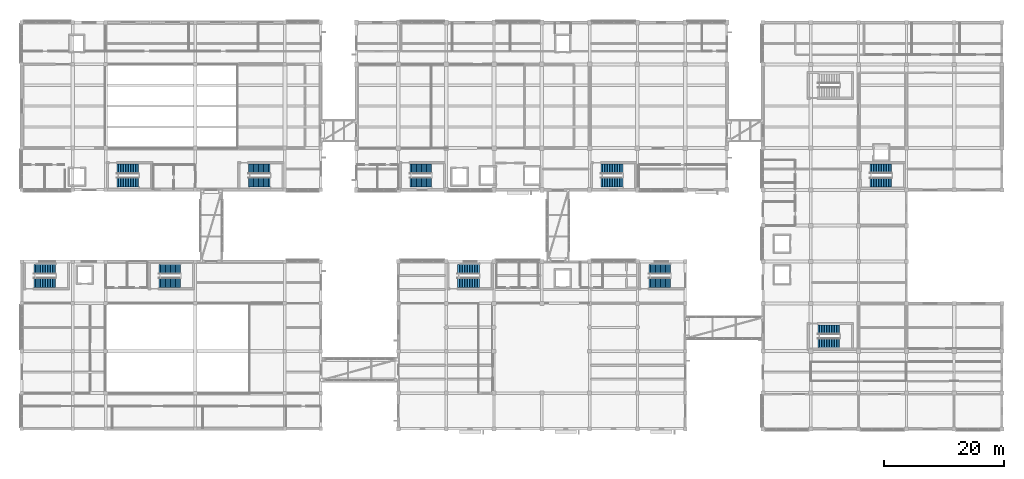
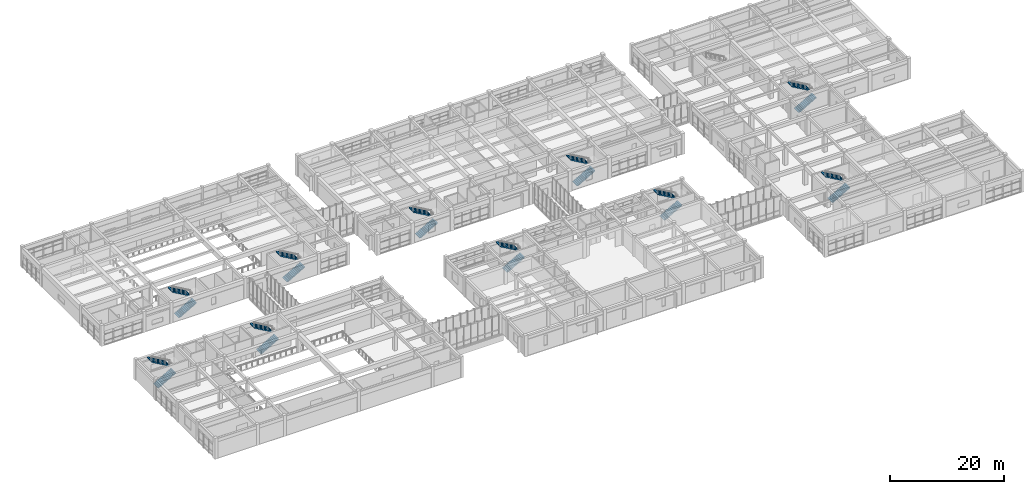
# One storey, part 58 of 72: 20 stair flights, 10 elements without a shape of their own.
"""IFC4 building model written with IfcOpenShell, lengths in metres."""

from ifc_helpers import new_model, si_unit, direction, frame, origin, place, context, subcontext, project, spatial, polyline, outline, extrude, material, type_object, element, aggregate, save


model = new_model("IFC4")

# Units and contexts
model_context = context("Model", 3, precision=1e-05, world=origin(), true_north=direction((0.0, 1.0)))
body_context = subcontext(model_context, "Body", "Model", "MODEL_VIEW")
ifc_project = project(units=[si_unit("LENGTHUNIT", "METRE"), si_unit("AREAUNIT", "SQUARE_METRE"), si_unit("VOLUMEUNIT", "CUBIC_METRE"), si_unit("PLANEANGLEUNIT", "RADIAN"), si_unit("MASSUNIT", "GRAM", prefix="KILO")], contexts=[model_context])

# Site, building, storey
site_placement = place(None, origin())
site = spatial("IfcSite", under=ifc_project, at=site_placement, CompositionType="ELEMENT")
building_placement = place(site_placement, origin())
building = spatial("IfcBuilding", under=site, at=building_placement, Name="Naurynzar Civic Courthouse", CompositionType="ELEMENT")
storey_placement = place(building_placement, frame((0.0, 0.0, 9.89990234375)))
storey = spatial("IfcBuildingStorey", under=building, at=storey_placement, Name="L03", CompositionType="ELEMENT", Elevation=9.89990234375)

# Stair, stair flights
ifc_material_1 = material(Name="Concrete C35/45", Category="concrete")
stair_type_1 = type_object("IfcStairType", Name="STAIR-CUS-1550", PredefinedType="TWO_STRAIGHT_RUN_STAIR", material=ifc_material_1)
stair_1_placement = place(storey_placement, origin())
stair_1 = element("IfcStair", 1, at=stair_1_placement, inside=storey, type_object=stair_type_1, Name="Enclosed escape stair ST-CUS L03", PredefinedType="TWO_STRAIGHT_RUN_STAIR")
ifc_material_2 = material(Name="Concrete C35/45", Category="concrete")
stair_flight_type_1 = type_object("IfcStairFlightType", Name="FLIGHT-RC-1550", PredefinedType="STRAIGHT", material=ifc_material_2)
stair_flight_1_placement = place(storey_placement, frame((147.89990234375, 45.2548828125, 0.0), z_axis=(0.0, 0.0, 1.0), x_axis=(1.0, 0.0, 0.0)))
stair_flight_1 = element("IfcStairFlight", 2, at=stair_flight_1_placement, type_object=stair_flight_type_1, Name="ST-CUS-L03 flight 1", NumberOfRisers=14, NumberOfTreads=13, PredefinedType="STRAIGHT", RiserHeight=0.160714286, TreadLength=0.28, context=body_context, shape_type="SweptSolid", body=[
    extrude(outline(polyline([(0.0, 0.0), (0.0, 0.16064453125), (0.280029296875, 0.16064453125), (0.280029296875, 0.321533203125), (0.56005859375, 0.321533203125), (0.56005859375, 0.482177734375), (0.840087890625, 0.482177734375), (0.840087890625, 0.642822265625), (1.1201171875, 0.642822265625), (1.1201171875, 0.803466796875), (1.39990234375, 0.803466796875), (1.39990234375, 0.96435546875), (1.679931640625, 0.96435546875), (1.679931640625, 1.125), (1.9599609375, 1.125), (1.9599609375, 1.28564453125), (2.239990234375, 1.28564453125), (2.239990234375, 1.446533203125), (2.52001953125, 1.446533203125), (2.52001953125, 1.607177734375), (2.800048828125, 1.607177734375), (2.800048828125, 1.767822265625), (3.080078125, 1.767822265625), (3.080078125, 1.928466796875), (3.360107421875, 1.928466796875), (3.360107421875, 2.08935546875), (3.639892578125, 2.08935546875), (3.639892578125, 2.25), (3.639892578125, 1.8818359375), (0.361328125, 0.0), (0.0, 0.0)])), frame((0.0, 0.77490234375, 0.0), z_axis=(0.0, -1.0, 0.0), x_axis=(1.0, 0.0, 0.0)), (0.0, 0.0, 1.0), 1.550048828125),
])
stair_flight_2_placement = place(storey_placement, frame((151.5400390625, 47.544921875, 2.25), z_axis=(0.0, 0.0, 1.0), x_axis=(-1.0, 0.0, 0.0)))
stair_flight_2 = element("IfcStairFlight", 3, at=stair_flight_2_placement, type_object=stair_flight_type_1, Name="ST-CUS-L03 flight 2", NumberOfRisers=14, NumberOfTreads=13, PredefinedType="STRAIGHT", RiserHeight=0.160714286, TreadLength=0.28, context=body_context, shape_type="SweptSolid", body=[
    extrude(outline(polyline([(0.0, 0.0), (0.0, 0.16064453125), (0.280029296875, 0.16064453125), (0.280029296875, 0.321533203125), (0.56005859375, 0.321533203125), (0.56005859375, 0.482177734375), (0.840087890625, 0.482177734375), (0.840087890625, 0.642822265625), (1.1201171875, 0.642822265625), (1.1201171875, 0.803466796875), (1.39990234375, 0.803466796875), (1.39990234375, 0.96435546875), (1.679931640625, 0.96435546875), (1.679931640625, 1.125), (1.9599609375, 1.125), (1.9599609375, 1.28564453125), (2.239990234375, 1.28564453125), (2.239990234375, 1.446533203125), (2.52001953125, 1.446533203125), (2.52001953125, 1.607177734375), (2.800048828125, 1.607177734375), (2.800048828125, 1.767822265625), (3.080078125, 1.767822265625), (3.080078125, 1.928466796875), (3.360107421875, 1.928466796875), (3.360107421875, 2.08935546875), (3.639892578125, 2.08935546875), (3.639892578125, 2.25), (3.639892578125, 1.8818359375), (0.361328125, 0.0), (0.0, 0.0)])), frame((0.0, 0.77490234375, 0.0), z_axis=(0.0, -1.0, 0.0), x_axis=(1.0, 0.0, 0.0)), (0.0, 0.0, 1.0), 1.550048828125),
])
aggregate(stair_1, [stair_flight_1, stair_flight_2])

ifc_material_3 = material(Name="Concrete C35/45", Category="concrete")
stair_type_2 = type_object("IfcStairType", Name="STAIR-CORE-1600", PredefinedType="TWO_STRAIGHT_RUN_STAIR", material=ifc_material_3)
stair_2_placement = place(storey_placement, origin())
stair_2 = element("IfcStair", 4, at=stair_2_placement, inside=storey, type_object=stair_type_2, Name="Enclosed escape stair ST-V1A L03", PredefinedType="TWO_STRAIGHT_RUN_STAIR")
ifc_material_4 = material(Name="Concrete C35/45", Category="concrete")
stair_flight_type_2 = type_object("IfcStairFlightType", Name="FLIGHT-RC-1600", PredefinedType="STRAIGHT", material=ifc_material_4)
stair_flight_3_placement = place(storey_placement, frame((21.89990234375, 45.280029296875, 0.0), z_axis=(0.0, 0.0, 1.0), x_axis=(1.0, 0.0, 0.0)))
stair_flight_3 = element("IfcStairFlight", 5, at=stair_flight_3_placement, type_object=stair_flight_type_2, Name="ST-V1A-L03 flight 1", NumberOfRisers=14, NumberOfTreads=13, PredefinedType="STRAIGHT", RiserHeight=0.160714286, TreadLength=0.28, context=body_context, shape_type="SweptSolid", body=[
    extrude(outline(polyline([(0.0, 0.0), (0.0, 0.16064453125), (0.280029296875, 0.16064453125), (0.280029296875, 0.321533203125), (0.56005859375, 0.321533203125), (0.56005859375, 0.482177734375), (0.840087890625, 0.482177734375), (0.840087890625, 0.642822265625), (1.1201171875, 0.642822265625), (1.1201171875, 0.803466796875), (1.39990234375, 0.803466796875), (1.39990234375, 0.96435546875), (1.679931640625, 0.96435546875), (1.679931640625, 1.125), (1.9599609375, 1.125), (1.9599609375, 1.28564453125), (2.239990234375, 1.28564453125), (2.239990234375, 1.446533203125), (2.52001953125, 1.446533203125), (2.52001953125, 1.607177734375), (2.800048828125, 1.607177734375), (2.800048828125, 1.767822265625), (3.080078125, 1.767822265625), (3.080078125, 1.928466796875), (3.360107421875, 1.928466796875), (3.360107421875, 2.08935546875), (3.639892578125, 2.08935546875), (3.639892578125, 2.25), (3.639892578125, 1.8818359375), (0.361328125, 0.0), (0.0, 0.0)])), frame((0.0, 0.800048828125, 0.0), z_axis=(0.0, -1.0, 0.0), x_axis=(1.0, 0.0, 0.0)), (0.0, 0.0, 1.0), 1.60009765625),
])
stair_flight_4_placement = place(storey_placement, frame((25.5400390625, 47.52001953125, 2.25), z_axis=(0.0, 0.0, 1.0), x_axis=(-1.0, 0.0, 0.0)))
stair_flight_4 = element("IfcStairFlight", 6, at=stair_flight_4_placement, type_object=stair_flight_type_2, Name="ST-V1A-L03 flight 2", NumberOfRisers=14, NumberOfTreads=13, PredefinedType="STRAIGHT", RiserHeight=0.160714286, TreadLength=0.28, context=body_context, shape_type="SweptSolid", body=[
    extrude(outline(polyline([(0.0, 0.0), (0.0, 0.16064453125), (0.280029296875, 0.16064453125), (0.280029296875, 0.321533203125), (0.56005859375, 0.321533203125), (0.56005859375, 0.482177734375), (0.840087890625, 0.482177734375), (0.840087890625, 0.642822265625), (1.1201171875, 0.642822265625), (1.1201171875, 0.803466796875), (1.39990234375, 0.803466796875), (1.39990234375, 0.96435546875), (1.679931640625, 0.96435546875), (1.679931640625, 1.125), (1.9599609375, 1.125), (1.9599609375, 1.28564453125), (2.239990234375, 1.28564453125), (2.239990234375, 1.446533203125), (2.52001953125, 1.446533203125), (2.52001953125, 1.607177734375), (2.800048828125, 1.607177734375), (2.800048828125, 1.767822265625), (3.080078125, 1.767822265625), (3.080078125, 1.928466796875), (3.360107421875, 1.928466796875), (3.360107421875, 2.08935546875), (3.639892578125, 2.08935546875), (3.639892578125, 2.25), (3.639892578125, 1.8818359375), (0.361328125, 0.0), (0.0, 0.0)])), frame((0.0, 0.800048828125, 0.0), z_axis=(0.0, -1.0, 0.0), x_axis=(1.0, 0.0, 0.0)), (0.0, 0.0, 1.0), 1.60009765625),
])
aggregate(stair_2, [stair_flight_3, stair_flight_4])

stair_3_placement = place(storey_placement, origin())
stair_3 = element("IfcStair", 7, at=stair_3_placement, inside=storey, type_object=stair_type_2, Name="Enclosed escape stair ST-V1B L03", PredefinedType="TWO_STRAIGHT_RUN_STAIR")
stair_flight_5_placement = place(storey_placement, frame((43.89990234375, 45.280029296875, 0.0), z_axis=(0.0, 0.0, 1.0), x_axis=(1.0, 0.0, 0.0)))
stair_flight_5 = element("IfcStairFlight", 8, at=stair_flight_5_placement, type_object=stair_flight_type_2, Name="ST-V1B-L03 flight 1", NumberOfRisers=14, NumberOfTreads=13, PredefinedType="STRAIGHT", RiserHeight=0.160714286, TreadLength=0.28, context=body_context, shape_type="SweptSolid", body=[
    extrude(outline(polyline([(0.0, 0.0), (0.0, 0.16064453125), (0.280029296875, 0.16064453125), (0.280029296875, 0.321533203125), (0.56005859375, 0.321533203125), (0.56005859375, 0.482177734375), (0.840087890625, 0.482177734375), (0.840087890625, 0.642822265625), (1.1201171875, 0.642822265625), (1.1201171875, 0.803466796875), (1.39990234375, 0.803466796875), (1.39990234375, 0.96435546875), (1.679931640625, 0.96435546875), (1.679931640625, 1.125), (1.9599609375, 1.125), (1.9599609375, 1.28564453125), (2.239990234375, 1.28564453125), (2.239990234375, 1.446533203125), (2.52001953125, 1.446533203125), (2.52001953125, 1.607177734375), (2.800048828125, 1.607177734375), (2.800048828125, 1.767822265625), (3.080078125, 1.767822265625), (3.080078125, 1.928466796875), (3.360107421875, 1.928466796875), (3.360107421875, 2.08935546875), (3.639892578125, 2.08935546875), (3.639892578125, 2.25), (3.639892578125, 1.8818359375), (0.361328125, 0.0), (0.0, 0.0)])), frame((0.0, 0.800048828125, 0.0), z_axis=(0.0, -1.0, 0.0), x_axis=(1.0, 0.0, 0.0)), (0.0, 0.0, 1.0), 1.60009765625),
])
stair_flight_6_placement = place(storey_placement, frame((47.5400390625, 47.52001953125, 2.25), z_axis=(0.0, 0.0, 1.0), x_axis=(-1.0, 0.0, 0.0)))
stair_flight_6 = element("IfcStairFlight", 9, at=stair_flight_6_placement, type_object=stair_flight_type_2, Name="ST-V1B-L03 flight 2", NumberOfRisers=14, NumberOfTreads=13, PredefinedType="STRAIGHT", RiserHeight=0.160714286, TreadLength=0.28, context=body_context, shape_type="SweptSolid", body=[
    extrude(outline(polyline([(0.0, 0.0), (0.0, 0.16064453125), (0.280029296875, 0.16064453125), (0.280029296875, 0.321533203125), (0.56005859375, 0.321533203125), (0.56005859375, 0.482177734375), (0.840087890625, 0.482177734375), (0.840087890625, 0.642822265625), (1.1201171875, 0.642822265625), (1.1201171875, 0.803466796875), (1.39990234375, 0.803466796875), (1.39990234375, 0.96435546875), (1.679931640625, 0.96435546875), (1.679931640625, 1.125), (1.9599609375, 1.125), (1.9599609375, 1.28564453125), (2.239990234375, 1.28564453125), (2.239990234375, 1.446533203125), (2.52001953125, 1.446533203125), (2.52001953125, 1.607177734375), (2.800048828125, 1.607177734375), (2.800048828125, 1.767822265625), (3.080078125, 1.767822265625), (3.080078125, 1.928466796875), (3.360107421875, 1.928466796875), (3.360107421875, 2.08935546875), (3.639892578125, 2.08935546875), (3.639892578125, 2.25), (3.639892578125, 1.8818359375), (0.361328125, 0.0), (0.0, 0.0)])), frame((0.0, 0.800048828125, 0.0), z_axis=(0.0, -1.0, 0.0), x_axis=(1.0, 0.0, 0.0)), (0.0, 0.0, 1.0), 1.60009765625),
])
aggregate(stair_3, [stair_flight_5, stair_flight_6])

stair_4_placement = place(storey_placement, origin())
stair_4 = element("IfcStair", 10, at=stair_4_placement, inside=storey, type_object=stair_type_2, Name="Enclosed escape stair ST-V4A L03", PredefinedType="TWO_STRAIGHT_RUN_STAIR")
stair_flight_7_placement = place(storey_placement, frame((8.0, 28.47998046875, 0.0), z_axis=(0.0, 0.0, 1.0), x_axis=(1.0, 0.0, 0.0)))
stair_flight_7 = element("IfcStairFlight", 11, at=stair_flight_7_placement, type_object=stair_flight_type_2, Name="ST-V4A-L03 flight 1", NumberOfRisers=14, NumberOfTreads=13, PredefinedType="STRAIGHT", RiserHeight=0.160714286, TreadLength=0.28, context=body_context, shape_type="SweptSolid", body=[
    extrude(outline(polyline([(0.0, 0.0), (0.0, 0.16064453125), (0.280029296875, 0.16064453125), (0.280029296875, 0.321533203125), (0.56005859375, 0.321533203125), (0.56005859375, 0.482177734375), (0.840087890625, 0.482177734375), (0.840087890625, 0.642822265625), (1.1201171875, 0.642822265625), (1.1201171875, 0.803466796875), (1.39990234375, 0.803466796875), (1.39990234375, 0.96435546875), (1.679931640625, 0.96435546875), (1.679931640625, 1.125), (1.9599609375, 1.125), (1.9599609375, 1.28564453125), (2.239990234375, 1.28564453125), (2.239990234375, 1.446533203125), (2.52001953125, 1.446533203125), (2.52001953125, 1.607177734375), (2.800048828125, 1.607177734375), (2.800048828125, 1.767822265625), (3.080078125, 1.767822265625), (3.080078125, 1.928466796875), (3.360107421875, 1.928466796875), (3.360107421875, 2.08935546875), (3.639892578125, 2.08935546875), (3.639892578125, 2.25), (3.639892578125, 1.8818359375), (0.361328125, 0.0), (0.0, 0.0)])), frame((0.0, 0.800048828125, 0.0), z_axis=(0.0, -1.0, 0.0), x_axis=(1.0, 0.0, 0.0)), (0.0, 0.0, 1.0), 1.60009765625),
])
stair_flight_8_placement = place(storey_placement, frame((11.639892578125, 30.719970703125, 2.25), z_axis=(0.0, 0.0, 1.0), x_axis=(-1.0, 0.0, 0.0)))
stair_flight_8 = element("IfcStairFlight", 12, at=stair_flight_8_placement, type_object=stair_flight_type_2, Name="ST-V4A-L03 flight 2", NumberOfRisers=14, NumberOfTreads=13, PredefinedType="STRAIGHT", RiserHeight=0.160714286, TreadLength=0.28, context=body_context, shape_type="SweptSolid", body=[
    extrude(outline(polyline([(0.0, 0.0), (0.0, 0.16064453125), (0.280029296875, 0.16064453125), (0.280029296875, 0.321533203125), (0.56005859375, 0.321533203125), (0.56005859375, 0.482177734375), (0.840087890625, 0.482177734375), (0.840087890625, 0.642822265625), (1.1201171875, 0.642822265625), (1.1201171875, 0.803466796875), (1.39990234375, 0.803466796875), (1.39990234375, 0.96435546875), (1.679931640625, 0.96435546875), (1.679931640625, 1.125), (1.9599609375, 1.125), (1.9599609375, 1.28564453125), (2.239990234375, 1.28564453125), (2.239990234375, 1.446533203125), (2.52001953125, 1.446533203125), (2.52001953125, 1.607177734375), (2.800048828125, 1.607177734375), (2.800048828125, 1.767822265625), (3.080078125, 1.767822265625), (3.080078125, 1.928466796875), (3.360107421875, 1.928466796875), (3.360107421875, 2.08935546875), (3.639892578125, 2.08935546875), (3.639892578125, 2.25), (3.639892578125, 1.8818359375), (0.361328125, 0.0), (0.0, 0.0)])), frame((0.0, 0.800048828125, 0.0), z_axis=(0.0, -1.0, 0.0), x_axis=(1.0, 0.0, 0.0)), (0.0, 0.0, 1.0), 1.60009765625),
])
aggregate(stair_4, [stair_flight_7, stair_flight_8])

stair_5_placement = place(storey_placement, origin())
stair_5 = element("IfcStair", 13, at=stair_5_placement, inside=storey, type_object=stair_type_2, Name="Enclosed escape stair ST-V4B L03", PredefinedType="TWO_STRAIGHT_RUN_STAIR")
stair_flight_9_placement = place(storey_placement, frame((28.89990234375, 28.47998046875, 0.0), z_axis=(0.0, 0.0, 1.0), x_axis=(1.0, 0.0, 0.0)))
stair_flight_9 = element("IfcStairFlight", 14, at=stair_flight_9_placement, type_object=stair_flight_type_2, Name="ST-V4B-L03 flight 1", NumberOfRisers=14, NumberOfTreads=13, PredefinedType="STRAIGHT", RiserHeight=0.160714286, TreadLength=0.28, context=body_context, shape_type="SweptSolid", body=[
    extrude(outline(polyline([(0.0, 0.0), (0.0, 0.16064453125), (0.280029296875, 0.16064453125), (0.280029296875, 0.321533203125), (0.56005859375, 0.321533203125), (0.56005859375, 0.482177734375), (0.840087890625, 0.482177734375), (0.840087890625, 0.642822265625), (1.1201171875, 0.642822265625), (1.1201171875, 0.803466796875), (1.39990234375, 0.803466796875), (1.39990234375, 0.96435546875), (1.679931640625, 0.96435546875), (1.679931640625, 1.125), (1.9599609375, 1.125), (1.9599609375, 1.28564453125), (2.239990234375, 1.28564453125), (2.239990234375, 1.446533203125), (2.52001953125, 1.446533203125), (2.52001953125, 1.607177734375), (2.800048828125, 1.607177734375), (2.800048828125, 1.767822265625), (3.080078125, 1.767822265625), (3.080078125, 1.928466796875), (3.360107421875, 1.928466796875), (3.360107421875, 2.08935546875), (3.639892578125, 2.08935546875), (3.639892578125, 2.25), (3.639892578125, 1.8818359375), (0.361328125, 0.0), (0.0, 0.0)])), frame((0.0, 0.800048828125, 0.0), z_axis=(0.0, -1.0, 0.0), x_axis=(1.0, 0.0, 0.0)), (0.0, 0.0, 1.0), 1.60009765625),
])
stair_flight_10_placement = place(storey_placement, frame((32.5400390625, 30.719970703125, 2.25), z_axis=(0.0, 0.0, 1.0), x_axis=(-1.0, 0.0, 0.0)))
stair_flight_10 = element("IfcStairFlight", 15, at=stair_flight_10_placement, type_object=stair_flight_type_2, Name="ST-V4B-L03 flight 2", NumberOfRisers=14, NumberOfTreads=13, PredefinedType="STRAIGHT", RiserHeight=0.160714286, TreadLength=0.28, context=body_context, shape_type="SweptSolid", body=[
    extrude(outline(polyline([(0.0, 0.0), (0.0, 0.16064453125), (0.280029296875, 0.16064453125), (0.280029296875, 0.321533203125), (0.56005859375, 0.321533203125), (0.56005859375, 0.482177734375), (0.840087890625, 0.482177734375), (0.840087890625, 0.642822265625), (1.1201171875, 0.642822265625), (1.1201171875, 0.803466796875), (1.39990234375, 0.803466796875), (1.39990234375, 0.96435546875), (1.679931640625, 0.96435546875), (1.679931640625, 1.125), (1.9599609375, 1.125), (1.9599609375, 1.28564453125), (2.239990234375, 1.28564453125), (2.239990234375, 1.446533203125), (2.52001953125, 1.446533203125), (2.52001953125, 1.607177734375), (2.800048828125, 1.607177734375), (2.800048828125, 1.767822265625), (3.080078125, 1.767822265625), (3.080078125, 1.928466796875), (3.360107421875, 1.928466796875), (3.360107421875, 2.08935546875), (3.639892578125, 2.08935546875), (3.639892578125, 2.25), (3.639892578125, 1.8818359375), (0.361328125, 0.0), (0.0, 0.0)])), frame((0.0, 0.800048828125, 0.0), z_axis=(0.0, -1.0, 0.0), x_axis=(1.0, 0.0, 0.0)), (0.0, 0.0, 1.0), 1.60009765625),
])
aggregate(stair_5, [stair_flight_9, stair_flight_10])

stair_6_placement = place(storey_placement, origin())
stair_6 = element("IfcStair", 16, at=stair_6_placement, inside=storey, type_object=stair_type_2, Name="Enclosed escape stair ST-V2A L03", PredefinedType="TWO_STRAIGHT_RUN_STAIR")
stair_flight_11_placement = place(storey_placement, frame((70.89990234375, 45.280029296875, 0.0), z_axis=(0.0, 0.0, 1.0), x_axis=(1.0, 0.0, 0.0)))
stair_flight_11 = element("IfcStairFlight", 17, at=stair_flight_11_placement, type_object=stair_flight_type_2, Name="ST-V2A-L03 flight 1", NumberOfRisers=14, NumberOfTreads=13, PredefinedType="STRAIGHT", RiserHeight=0.160714286, TreadLength=0.28, context=body_context, shape_type="SweptSolid", body=[
    extrude(outline(polyline([(0.0, 0.0), (0.0, 0.16064453125), (0.280029296875, 0.16064453125), (0.280029296875, 0.321533203125), (0.56005859375, 0.321533203125), (0.56005859375, 0.482177734375), (0.840087890625, 0.482177734375), (0.840087890625, 0.642822265625), (1.1201171875, 0.642822265625), (1.1201171875, 0.803466796875), (1.39990234375, 0.803466796875), (1.39990234375, 0.96435546875), (1.679931640625, 0.96435546875), (1.679931640625, 1.125), (1.9599609375, 1.125), (1.9599609375, 1.28564453125), (2.239990234375, 1.28564453125), (2.239990234375, 1.446533203125), (2.52001953125, 1.446533203125), (2.52001953125, 1.607177734375), (2.800048828125, 1.607177734375), (2.800048828125, 1.767822265625), (3.080078125, 1.767822265625), (3.080078125, 1.928466796875), (3.360107421875, 1.928466796875), (3.360107421875, 2.08935546875), (3.639892578125, 2.08935546875), (3.639892578125, 2.25), (3.639892578125, 1.8818359375), (0.361328125, 0.0), (0.0, 0.0)])), frame((0.0, 0.800048828125, 0.0), z_axis=(0.0, -1.0, 0.0), x_axis=(1.0, 0.0, 0.0)), (0.0, 0.0, 1.0), 1.60009765625),
])
stair_flight_12_placement = place(storey_placement, frame((74.5400390625, 47.52001953125, 2.25), z_axis=(0.0, 0.0, 1.0), x_axis=(-1.0, 0.0, 0.0)))
stair_flight_12 = element("IfcStairFlight", 18, at=stair_flight_12_placement, type_object=stair_flight_type_2, Name="ST-V2A-L03 flight 2", NumberOfRisers=14, NumberOfTreads=13, PredefinedType="STRAIGHT", RiserHeight=0.160714286, TreadLength=0.28, context=body_context, shape_type="SweptSolid", body=[
    extrude(outline(polyline([(0.0, 0.0), (0.0, 0.16064453125), (0.280029296875, 0.16064453125), (0.280029296875, 0.321533203125), (0.56005859375, 0.321533203125), (0.56005859375, 0.482177734375), (0.840087890625, 0.482177734375), (0.840087890625, 0.642822265625), (1.1201171875, 0.642822265625), (1.1201171875, 0.803466796875), (1.39990234375, 0.803466796875), (1.39990234375, 0.96435546875), (1.679931640625, 0.96435546875), (1.679931640625, 1.125), (1.9599609375, 1.125), (1.9599609375, 1.28564453125), (2.239990234375, 1.28564453125), (2.239990234375, 1.446533203125), (2.52001953125, 1.446533203125), (2.52001953125, 1.607177734375), (2.800048828125, 1.607177734375), (2.800048828125, 1.767822265625), (3.080078125, 1.767822265625), (3.080078125, 1.928466796875), (3.360107421875, 1.928466796875), (3.360107421875, 2.08935546875), (3.639892578125, 2.08935546875), (3.639892578125, 2.25), (3.639892578125, 1.8818359375), (0.361328125, 0.0), (0.0, 0.0)])), frame((0.0, 0.800048828125, 0.0), z_axis=(0.0, -1.0, 0.0), x_axis=(1.0, 0.0, 0.0)), (0.0, 0.0, 1.0), 1.60009765625),
])
aggregate(stair_6, [stair_flight_11, stair_flight_12])

stair_7_placement = place(storey_placement, origin())
stair_7 = element("IfcStair", 19, at=stair_7_placement, inside=storey, type_object=stair_type_2, Name="Enclosed escape stair ST-V2B L03", PredefinedType="TWO_STRAIGHT_RUN_STAIR")
stair_flight_13_placement = place(storey_placement, frame((102.89990234375, 45.280029296875, 0.0), z_axis=(0.0, 0.0, 1.0), x_axis=(1.0, 0.0, 0.0)))
stair_flight_13 = element("IfcStairFlight", 20, at=stair_flight_13_placement, type_object=stair_flight_type_2, Name="ST-V2B-L03 flight 1", NumberOfRisers=14, NumberOfTreads=13, PredefinedType="STRAIGHT", RiserHeight=0.160714286, TreadLength=0.28, context=body_context, shape_type="SweptSolid", body=[
    extrude(outline(polyline([(0.0, 0.0), (0.0, 0.16064453125), (0.280029296875, 0.16064453125), (0.280029296875, 0.321533203125), (0.56005859375, 0.321533203125), (0.56005859375, 0.482177734375), (0.840087890625, 0.482177734375), (0.840087890625, 0.642822265625), (1.1201171875, 0.642822265625), (1.1201171875, 0.803466796875), (1.39990234375, 0.803466796875), (1.39990234375, 0.96435546875), (1.679931640625, 0.96435546875), (1.679931640625, 1.125), (1.9599609375, 1.125), (1.9599609375, 1.28564453125), (2.239990234375, 1.28564453125), (2.239990234375, 1.446533203125), (2.52001953125, 1.446533203125), (2.52001953125, 1.607177734375), (2.800048828125, 1.607177734375), (2.800048828125, 1.767822265625), (3.080078125, 1.767822265625), (3.080078125, 1.928466796875), (3.360107421875, 1.928466796875), (3.360107421875, 2.08935546875), (3.639892578125, 2.08935546875), (3.639892578125, 2.25), (3.639892578125, 1.8818359375), (0.361328125, 0.0), (0.0, 0.0)])), frame((0.0, 0.800048828125, 0.0), z_axis=(0.0, -1.0, 0.0), x_axis=(1.0, 0.0, 0.0)), (0.0, 0.0, 1.0), 1.60009765625),
])
stair_flight_14_placement = place(storey_placement, frame((106.5400390625, 47.52001953125, 2.25), z_axis=(0.0, 0.0, 1.0), x_axis=(-1.0, 0.0, 0.0)))
stair_flight_14 = element("IfcStairFlight", 21, at=stair_flight_14_placement, type_object=stair_flight_type_2, Name="ST-V2B-L03 flight 2", NumberOfRisers=14, NumberOfTreads=13, PredefinedType="STRAIGHT", RiserHeight=0.160714286, TreadLength=0.28, context=body_context, shape_type="SweptSolid", body=[
    extrude(outline(polyline([(0.0, 0.0), (0.0, 0.16064453125), (0.280029296875, 0.16064453125), (0.280029296875, 0.321533203125), (0.56005859375, 0.321533203125), (0.56005859375, 0.482177734375), (0.840087890625, 0.482177734375), (0.840087890625, 0.642822265625), (1.1201171875, 0.642822265625), (1.1201171875, 0.803466796875), (1.39990234375, 0.803466796875), (1.39990234375, 0.96435546875), (1.679931640625, 0.96435546875), (1.679931640625, 1.125), (1.9599609375, 1.125), (1.9599609375, 1.28564453125), (2.239990234375, 1.28564453125), (2.239990234375, 1.446533203125), (2.52001953125, 1.446533203125), (2.52001953125, 1.607177734375), (2.800048828125, 1.607177734375), (2.800048828125, 1.767822265625), (3.080078125, 1.767822265625), (3.080078125, 1.928466796875), (3.360107421875, 1.928466796875), (3.360107421875, 2.08935546875), (3.639892578125, 2.08935546875), (3.639892578125, 2.25), (3.639892578125, 1.8818359375), (0.361328125, 0.0), (0.0, 0.0)])), frame((0.0, 0.800048828125, 0.0), z_axis=(0.0, -1.0, 0.0), x_axis=(1.0, 0.0, 0.0)), (0.0, 0.0, 1.0), 1.60009765625),
])
aggregate(stair_7, [stair_flight_13, stair_flight_14])

stair_8_placement = place(storey_placement, origin())
stair_8 = element("IfcStair", 22, at=stair_8_placement, inside=storey, type_object=stair_type_2, Name="Enclosed escape stair ST-V3A L03", PredefinedType="TWO_STRAIGHT_RUN_STAIR")
stair_flight_15_placement = place(storey_placement, frame((78.89990234375, 28.47998046875, 0.0), z_axis=(0.0, 0.0, 1.0), x_axis=(1.0, 0.0, 0.0)))
stair_flight_15 = element("IfcStairFlight", 23, at=stair_flight_15_placement, type_object=stair_flight_type_2, Name="ST-V3A-L03 flight 1", NumberOfRisers=14, NumberOfTreads=13, PredefinedType="STRAIGHT", RiserHeight=0.160714286, TreadLength=0.28, context=body_context, shape_type="SweptSolid", body=[
    extrude(outline(polyline([(0.0, 0.0), (0.0, 0.16064453125), (0.280029296875, 0.16064453125), (0.280029296875, 0.321533203125), (0.56005859375, 0.321533203125), (0.56005859375, 0.482177734375), (0.840087890625, 0.482177734375), (0.840087890625, 0.642822265625), (1.1201171875, 0.642822265625), (1.1201171875, 0.803466796875), (1.39990234375, 0.803466796875), (1.39990234375, 0.96435546875), (1.679931640625, 0.96435546875), (1.679931640625, 1.125), (1.9599609375, 1.125), (1.9599609375, 1.28564453125), (2.239990234375, 1.28564453125), (2.239990234375, 1.446533203125), (2.52001953125, 1.446533203125), (2.52001953125, 1.607177734375), (2.800048828125, 1.607177734375), (2.800048828125, 1.767822265625), (3.080078125, 1.767822265625), (3.080078125, 1.928466796875), (3.360107421875, 1.928466796875), (3.360107421875, 2.08935546875), (3.639892578125, 2.08935546875), (3.639892578125, 2.25), (3.639892578125, 1.8818359375), (0.361328125, 0.0), (0.0, 0.0)])), frame((0.0, 0.800048828125, 0.0), z_axis=(0.0, -1.0, 0.0), x_axis=(1.0, 0.0, 0.0)), (0.0, 0.0, 1.0), 1.60009765625),
])
stair_flight_16_placement = place(storey_placement, frame((82.5400390625, 30.719970703125, 2.25), z_axis=(0.0, 0.0, 1.0), x_axis=(-1.0, 0.0, 0.0)))
stair_flight_16 = element("IfcStairFlight", 24, at=stair_flight_16_placement, type_object=stair_flight_type_2, Name="ST-V3A-L03 flight 2", NumberOfRisers=14, NumberOfTreads=13, PredefinedType="STRAIGHT", RiserHeight=0.160714286, TreadLength=0.28, context=body_context, shape_type="SweptSolid", body=[
    extrude(outline(polyline([(0.0, 0.0), (0.0, 0.16064453125), (0.280029296875, 0.16064453125), (0.280029296875, 0.321533203125), (0.56005859375, 0.321533203125), (0.56005859375, 0.482177734375), (0.840087890625, 0.482177734375), (0.840087890625, 0.642822265625), (1.1201171875, 0.642822265625), (1.1201171875, 0.803466796875), (1.39990234375, 0.803466796875), (1.39990234375, 0.96435546875), (1.679931640625, 0.96435546875), (1.679931640625, 1.125), (1.9599609375, 1.125), (1.9599609375, 1.28564453125), (2.239990234375, 1.28564453125), (2.239990234375, 1.446533203125), (2.52001953125, 1.446533203125), (2.52001953125, 1.607177734375), (2.800048828125, 1.607177734375), (2.800048828125, 1.767822265625), (3.080078125, 1.767822265625), (3.080078125, 1.928466796875), (3.360107421875, 1.928466796875), (3.360107421875, 2.08935546875), (3.639892578125, 2.08935546875), (3.639892578125, 2.25), (3.639892578125, 1.8818359375), (0.361328125, 0.0), (0.0, 0.0)])), frame((0.0, 0.800048828125, 0.0), z_axis=(0.0, -1.0, 0.0), x_axis=(1.0, 0.0, 0.0)), (0.0, 0.0, 1.0), 1.60009765625),
])
aggregate(stair_8, [stair_flight_15, stair_flight_16])

stair_9_placement = place(storey_placement, origin())
stair_9 = element("IfcStair", 25, at=stair_9_placement, inside=storey, type_object=stair_type_2, Name="Enclosed escape stair ST-V3B L03", PredefinedType="TWO_STRAIGHT_RUN_STAIR")
stair_flight_17_placement = place(storey_placement, frame((110.89990234375, 28.47998046875, 0.0), z_axis=(0.0, 0.0, 1.0), x_axis=(1.0, 0.0, 0.0)))
stair_flight_17 = element("IfcStairFlight", 26, at=stair_flight_17_placement, type_object=stair_flight_type_2, Name="ST-V3B-L03 flight 1", NumberOfRisers=14, NumberOfTreads=13, PredefinedType="STRAIGHT", RiserHeight=0.160714286, TreadLength=0.28, context=body_context, shape_type="SweptSolid", body=[
    extrude(outline(polyline([(0.0, 0.0), (0.0, 0.16064453125), (0.280029296875, 0.16064453125), (0.280029296875, 0.321533203125), (0.56005859375, 0.321533203125), (0.56005859375, 0.482177734375), (0.840087890625, 0.482177734375), (0.840087890625, 0.642822265625), (1.1201171875, 0.642822265625), (1.1201171875, 0.803466796875), (1.39990234375, 0.803466796875), (1.39990234375, 0.96435546875), (1.679931640625, 0.96435546875), (1.679931640625, 1.125), (1.9599609375, 1.125), (1.9599609375, 1.28564453125), (2.239990234375, 1.28564453125), (2.239990234375, 1.446533203125), (2.52001953125, 1.446533203125), (2.52001953125, 1.607177734375), (2.800048828125, 1.607177734375), (2.800048828125, 1.767822265625), (3.080078125, 1.767822265625), (3.080078125, 1.928466796875), (3.360107421875, 1.928466796875), (3.360107421875, 2.08935546875), (3.639892578125, 2.08935546875), (3.639892578125, 2.25), (3.639892578125, 1.8818359375), (0.361328125, 0.0), (0.0, 0.0)])), frame((0.0, 0.800048828125, 0.0), z_axis=(0.0, -1.0, 0.0), x_axis=(1.0, 0.0, 0.0)), (0.0, 0.0, 1.0), 1.60009765625),
])
stair_flight_18_placement = place(storey_placement, frame((114.5400390625, 30.719970703125, 2.25), z_axis=(0.0, 0.0, 1.0), x_axis=(-1.0, 0.0, 0.0)))
stair_flight_18 = element("IfcStairFlight", 27, at=stair_flight_18_placement, type_object=stair_flight_type_2, Name="ST-V3B-L03 flight 2", NumberOfRisers=14, NumberOfTreads=13, PredefinedType="STRAIGHT", RiserHeight=0.160714286, TreadLength=0.28, context=body_context, shape_type="SweptSolid", body=[
    extrude(outline(polyline([(0.0, 0.0), (0.0, 0.16064453125), (0.280029296875, 0.16064453125), (0.280029296875, 0.321533203125), (0.56005859375, 0.321533203125), (0.56005859375, 0.482177734375), (0.840087890625, 0.482177734375), (0.840087890625, 0.642822265625), (1.1201171875, 0.642822265625), (1.1201171875, 0.803466796875), (1.39990234375, 0.803466796875), (1.39990234375, 0.96435546875), (1.679931640625, 0.96435546875), (1.679931640625, 1.125), (1.9599609375, 1.125), (1.9599609375, 1.28564453125), (2.239990234375, 1.28564453125), (2.239990234375, 1.446533203125), (2.52001953125, 1.446533203125), (2.52001953125, 1.607177734375), (2.800048828125, 1.607177734375), (2.800048828125, 1.767822265625), (3.080078125, 1.767822265625), (3.080078125, 1.928466796875), (3.360107421875, 1.928466796875), (3.360107421875, 2.08935546875), (3.639892578125, 2.08935546875), (3.639892578125, 2.25), (3.639892578125, 1.8818359375), (0.361328125, 0.0), (0.0, 0.0)])), frame((0.0, 0.800048828125, 0.0), z_axis=(0.0, -1.0, 0.0), x_axis=(1.0, 0.0, 0.0)), (0.0, 0.0, 1.0), 1.60009765625),
])
aggregate(stair_9, [stair_flight_17, stair_flight_18])

stair_10_placement = place(storey_placement, origin())
stair_10 = element("IfcStair", 28, at=stair_10_placement, inside=storey, type_object=stair_type_2, Name="Enclosed escape stair ST-V5A L03", PredefinedType="TWO_STRAIGHT_RUN_STAIR")
stair_flight_19_placement = place(storey_placement, frame((139.199951171875, 18.3798828125, 0.0), z_axis=(0.0, 0.0, 1.0), x_axis=(1.0, 0.0, 0.0)))
stair_flight_19 = element("IfcStairFlight", 29, at=stair_flight_19_placement, type_object=stair_flight_type_2, Name="ST-V5A-L03 flight 1", NumberOfRisers=14, NumberOfTreads=13, PredefinedType="STRAIGHT", RiserHeight=0.160714286, TreadLength=0.28, context=body_context, shape_type="SweptSolid", body=[
    extrude(outline(polyline([(0.0, 0.0), (0.0, 0.16064453125), (0.280029296875, 0.16064453125), (0.280029296875, 0.321533203125), (0.56005859375, 0.321533203125), (0.56005859375, 0.482177734375), (0.840087890625, 0.482177734375), (0.840087890625, 0.642822265625), (1.1201171875, 0.642822265625), (1.1201171875, 0.803466796875), (1.39990234375, 0.803466796875), (1.39990234375, 0.96435546875), (1.679931640625, 0.96435546875), (1.679931640625, 1.125), (1.9599609375, 1.125), (1.9599609375, 1.28564453125), (2.239990234375, 1.28564453125), (2.239990234375, 1.446533203125), (2.52001953125, 1.446533203125), (2.52001953125, 1.607177734375), (2.800048828125, 1.607177734375), (2.800048828125, 1.767822265625), (3.080078125, 1.767822265625), (3.080078125, 1.928466796875), (3.360107421875, 1.928466796875), (3.360107421875, 2.08935546875), (3.639892578125, 2.08935546875), (3.639892578125, 2.25), (3.639892578125, 1.8818359375), (0.361328125, 0.0), (0.0, 0.0)])), frame((0.0, 0.800048828125, 0.0), z_axis=(0.0, -1.0, 0.0), x_axis=(1.0, 0.0, 0.0)), (0.0, 0.0, 1.0), 1.60009765625),
])
stair_flight_20_placement = place(storey_placement, frame((142.840087890625, 20.6201171875, 2.25), z_axis=(0.0, 0.0, 1.0), x_axis=(-1.0, 0.0, 0.0)))
stair_flight_20 = element("IfcStairFlight", 30, at=stair_flight_20_placement, type_object=stair_flight_type_2, Name="ST-V5A-L03 flight 2", NumberOfRisers=14, NumberOfTreads=13, PredefinedType="STRAIGHT", RiserHeight=0.160714286, TreadLength=0.28, context=body_context, shape_type="SweptSolid", body=[
    extrude(outline(polyline([(0.0, 0.0), (0.0, 0.16064453125), (0.280029296875, 0.16064453125), (0.280029296875, 0.321533203125), (0.56005859375, 0.321533203125), (0.56005859375, 0.482177734375), (0.840087890625, 0.482177734375), (0.840087890625, 0.642822265625), (1.1201171875, 0.642822265625), (1.1201171875, 0.803466796875), (1.39990234375, 0.803466796875), (1.39990234375, 0.96435546875), (1.679931640625, 0.96435546875), (1.679931640625, 1.125), (1.9599609375, 1.125), (1.9599609375, 1.28564453125), (2.239990234375, 1.28564453125), (2.239990234375, 1.446533203125), (2.52001953125, 1.446533203125), (2.52001953125, 1.607177734375), (2.800048828125, 1.607177734375), (2.800048828125, 1.767822265625), (3.080078125, 1.767822265625), (3.080078125, 1.928466796875), (3.360107421875, 1.928466796875), (3.360107421875, 2.08935546875), (3.639892578125, 2.08935546875), (3.639892578125, 2.25), (3.639892578125, 1.8818359375), (0.361328125, 0.0), (0.0, 0.0)])), frame((0.0, 0.800048828125, 0.0), z_axis=(0.0, -1.0, 0.0), x_axis=(1.0, 0.0, 0.0)), (0.0, 0.0, 1.0), 1.60009765625),
])
aggregate(stair_10, [stair_flight_19, stair_flight_20])

save(model, "model.ifc")
